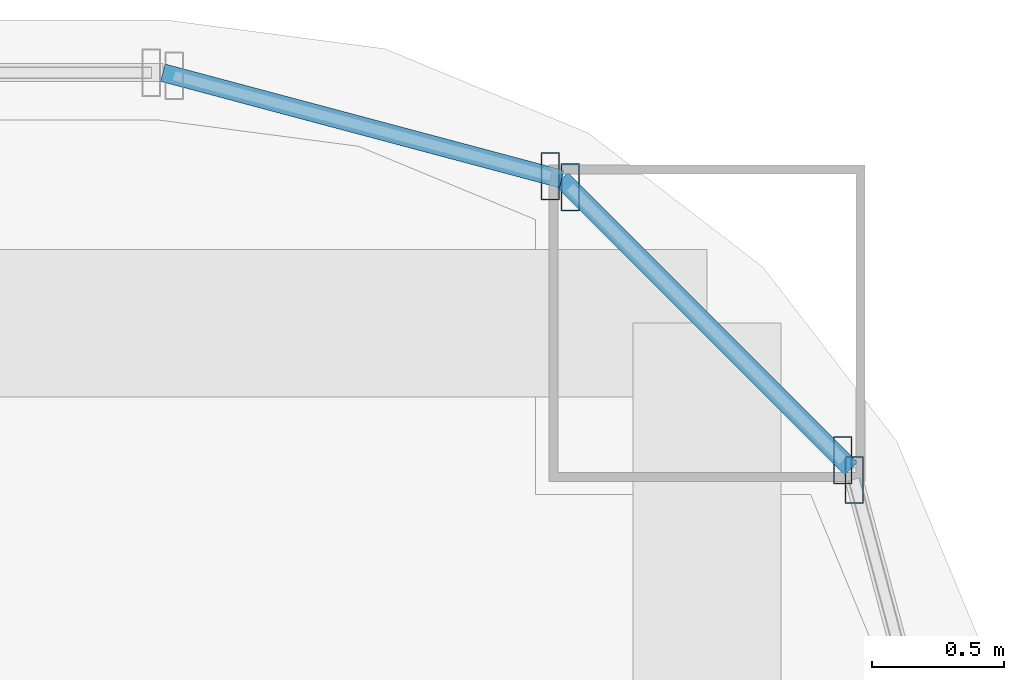
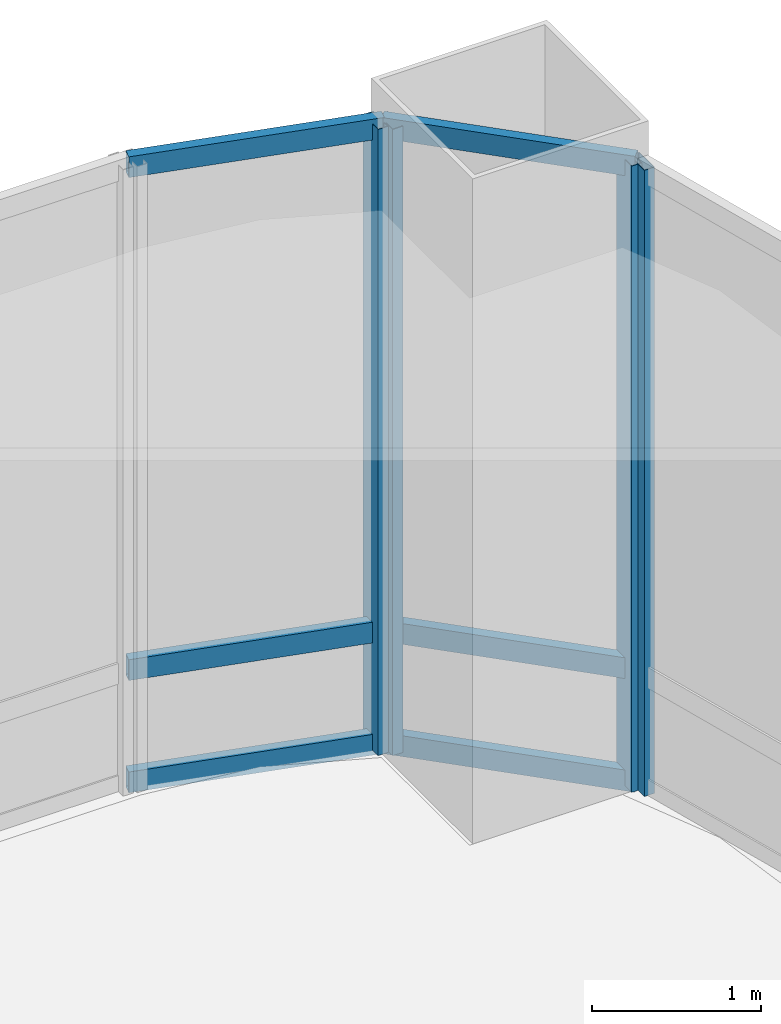
# One storey, part 33 of 45: 10 members, 3 elements without a shape of their own.
"""IFC4 building model written with IfcOpenShell, lengths in metres."""

from ifc_helpers import new_model, si_unit, direction, frame, origin, origin_2d, place, context, subcontext, project, spatial, hollow_rectangle, extrude, material, material_profile, profile_set, type_object, element, aggregate, save


model = new_model("IFC4")

# Units and contexts
model_context = context("Model", 3, precision=1e-05, world=origin(), true_north=direction((0.0, 1.0)))
body_context = subcontext(model_context, "Body", "Model", "MODEL_VIEW")
ifc_project = project(units=[si_unit("LENGTHUNIT", "METRE"), si_unit("AREAUNIT", "SQUARE_METRE"), si_unit("VOLUMEUNIT", "CUBIC_METRE"), si_unit("PLANEANGLEUNIT", "RADIAN"), si_unit("MASSUNIT", "GRAM", prefix="KILO")], contexts=[model_context])

# Site, building, storey
site_placement = place(None, origin())
site = spatial("IfcSite", under=ifc_project, at=site_placement, CompositionType="ELEMENT")
building_placement = place(site_placement, origin())
building = spatial("IfcBuilding", under=site, at=building_placement, Name="Punatoya Terracotta Tower", CompositionType="ELEMENT")
storey_placement = place(building_placement, frame((0.0, 0.0, 339.0)))
storey = spatial("IfcBuildingStorey", under=building, at=storey_placement, Name="L80", CompositionType="ELEMENT", Elevation=339.0)

# Curtain wall, member
ifc_material_1 = material(Name="Aluminium 6063-T6 + Double Low-E Glass", Category="aluminium")
curtain_wall_type = type_object("IfcCurtainWallType", Name="CW-OBS", PredefinedType="NOTDEFINED", material=ifc_material_1)
curtain_wall_1_placement = place(storey_placement, origin())
curtain_wall_1 = element("IfcCurtainWall", 1, at=curtain_wall_1_placement, inside=storey, type_object=curtain_wall_type, Name="L80 Curtain Wall CW-L80-CRN06", PredefinedType="NOTDEFINED")
ifc_material_2 = material(Name="Aluminium 6063-T6", Category="aluminium")
ifc_material_profile_1 = material_profile(ifc_material_2, hollow_rectangle(XDim=0.070068359375, YDim=0.179931640625, WallThickness=0.00390625, at=origin_2d()))
ifc_profile_set_1 = profile_set([ifc_material_profile_1], Name="Aluminium 6063-T6")
member_type_1 = type_object("IfcMemberType", Name="CW-MUL-M3", PredefinedType="MULLION", material=ifc_profile_set_1)
member_1_placement = place(storey_placement, frame((19.658203125, 16.905517578125, 0.0), z_axis=(0.0, 0.0, 1.0), x_axis=(1.0, 0.0, 0.0)))
member_1 = element("IfcMember", 2, at=member_1_placement, type_object=member_type_1, Name="CW-L80-CRN06 Mullion 01", PredefinedType="MULLION", context=body_context, shape_type="SweptSolid", body=[
    extrude(hollow_rectangle(XDim=0.070068359375, YDim=0.179931640625, WallThickness=0.00390625, at=origin_2d()), origin(), (0.0, 0.0, 1.0), 4.52001953125),
])
aggregate(curtain_wall_1, [member_1])

# Curtain wall, members
curtain_wall_2_placement = place(storey_placement, origin())
curtain_wall_2 = element("IfcCurtainWall", 3, at=curtain_wall_2_placement, inside=storey, type_object=curtain_wall_type, Name="L80 Curtain Wall CW-L80-CRN07", PredefinedType="NOTDEFINED")
member_2_placement = place(storey_placement, frame((19.61474609375, 16.98095703125, 0.0), z_axis=(0.0, 0.0, 1.0), x_axis=(1.0, 0.0, 0.0)))
member_2 = element("IfcMember", 4, at=member_2_placement, type_object=member_type_1, Name="CW-L80-CRN07 Mullion 00", PredefinedType="MULLION", context=body_context, shape_type="SweptSolid", body=[
    extrude(hollow_rectangle(XDim=0.070068359375, YDim=0.179931640625, WallThickness=0.00390625, at=origin_2d()), origin(), (0.0, 0.0, 1.0), 4.52001953125),
])
member_3_placement = place(storey_placement, frame((18.580810546875, 18.014892578125, 0.0), z_axis=(0.0, 0.0, 1.0), x_axis=(1.0, 0.0, 0.0)))
member_3 = element("IfcMember", 5, at=member_3_placement, type_object=member_type_1, Name="CW-L80-CRN07 Mullion 01", PredefinedType="MULLION", context=body_context, shape_type="SweptSolid", body=[
    extrude(hollow_rectangle(XDim=0.070068359375, YDim=0.179931640625, WallThickness=0.00390625, at=origin_2d()), origin(), (0.0, 0.0, 1.0), 4.52001953125),
])

# Curtain wall, member
curtain_wall_3_placement = place(storey_placement, origin())
curtain_wall_3 = element("IfcCurtainWall", 6, at=curtain_wall_3_placement, inside=storey, type_object=curtain_wall_type, Name="L80 Curtain Wall CW-L80-CRN08", PredefinedType="NOTDEFINED")
member_4_placement = place(storey_placement, frame((18.505615234375, 18.05810546875, 0.0), z_axis=(0.0, 0.0, 1.0), x_axis=(1.0, 0.0, 0.0)))
member_4 = element("IfcMember", 7, at=member_4_placement, type_object=member_type_1, Name="CW-L80-CRN08 Mullion 00", PredefinedType="MULLION", context=body_context, shape_type="SweptSolid", body=[
    extrude(hollow_rectangle(XDim=0.070068359375, YDim=0.179931640625, WallThickness=0.00390625, at=origin_2d()), origin(), (0.0, 0.0, 1.0), 4.52001953125),
])

# Member
ifc_material_profile_2 = material_profile(ifc_material_2, hollow_rectangle(XDim=0.068115234375, YDim=0.14990234375, WallThickness=0.00390625, at=origin_2d()))
ifc_profile_set_2 = profile_set([ifc_material_profile_2], Name="Aluminium 6063-T6")
member_type_2 = type_object("IfcMemberType", Name="CW-TRN-TYP", PredefinedType="USERDEFINED", material=ifc_profile_set_2)
member_5_placement = place(storey_placement, frame((19.646484375, 16.94921875, 0.0400390625), z_axis=(-0.707106781187, 0.707106781187, 0.0), x_axis=(-0.707106781187, -0.707106781187, 0.0)))
member_5 = element("IfcMember", 8, at=member_5_placement, type_object=member_type_2, Name="CW-L80-CRN07 Transom 1", ObjectType="TRANSOM", PredefinedType="USERDEFINED", context=body_context, shape_type="SweptSolid", body=[
    extrude(hollow_rectangle(XDim=0.068115234375, YDim=0.14990234375, WallThickness=0.00390625, at=origin_2d()), origin(), (0.0, 0.0, 1.0), 1.552001953125),
])

member_6_placement = place(storey_placement, frame((19.646484375, 16.94921875, 0.85009765625), z_axis=(-0.707106781187, 0.707106781187, 0.0), x_axis=(-0.707106781187, -0.707106781187, 0.0)))
member_6 = element("IfcMember", 9, at=member_6_placement, type_object=member_type_2, Name="CW-L80-CRN07 Transom 2", ObjectType="TRANSOM", PredefinedType="USERDEFINED", context=body_context, shape_type="SweptSolid", body=[
    extrude(hollow_rectangle(XDim=0.068115234375, YDim=0.14990234375, WallThickness=0.00390625, at=origin_2d()), origin(), (0.0, 0.0, 1.0), 1.552001953125),
])

member_7_placement = place(storey_placement, frame((19.646484375, 16.94921875, 4.47998046875), z_axis=(-0.707106781187, 0.707106781187, 0.0), x_axis=(-0.707106781187, -0.707106781187, 0.0)))
member_7 = element("IfcMember", 10, at=member_7_placement, type_object=member_type_2, Name="CW-L80-CRN07 Transom 3", ObjectType="TRANSOM", PredefinedType="USERDEFINED", context=body_context, shape_type="SweptSolid", body=[
    extrude(hollow_rectangle(XDim=0.068115234375, YDim=0.14990234375, WallThickness=0.00390625, at=origin_2d()), origin(), (0.0, 0.0, 1.0), 1.552001953125),
])

aggregate(curtain_wall_2, [member_2, member_3, member_5, member_6, member_7])

member_8_placement = place(storey_placement, frame((18.549072265625, 18.046630859375, 0.0400390625), z_axis=(-0.966224582397, 0.257701486942, 0.0), x_axis=(-0.257701486942, -0.966224582397, 0.0)))
member_8 = element("IfcMember", 11, at=member_8_placement, type_object=member_type_2, Name="CW-L80-CRN08 Transom 1", ObjectType="TRANSOM", PredefinedType="USERDEFINED", context=body_context, shape_type="SweptSolid", body=[
    extrude(hollow_rectangle(XDim=0.068115234375, YDim=0.14990234375, WallThickness=0.00390625, at=origin_2d()), origin(), (0.0, 0.0, 1.0), 1.565185546875),
])

member_9_placement = place(storey_placement, frame((18.549072265625, 18.046630859375, 0.85009765625), z_axis=(-0.966224582397, 0.257701486942, 0.0), x_axis=(-0.257701486942, -0.966224582397, 0.0)))
member_9 = element("IfcMember", 12, at=member_9_placement, type_object=member_type_2, Name="CW-L80-CRN08 Transom 2", ObjectType="TRANSOM", PredefinedType="USERDEFINED", context=body_context, shape_type="SweptSolid", body=[
    extrude(hollow_rectangle(XDim=0.068115234375, YDim=0.14990234375, WallThickness=0.00390625, at=origin_2d()), origin(), (0.0, 0.0, 1.0), 1.565185546875),
])

member_10_placement = place(storey_placement, frame((18.549072265625, 18.046630859375, 4.47998046875), z_axis=(-0.966224582397, 0.257701486942, 0.0), x_axis=(-0.257701486942, -0.966224582397, 0.0)))
member_10 = element("IfcMember", 13, at=member_10_placement, type_object=member_type_2, Name="CW-L80-CRN08 Transom 3", ObjectType="TRANSOM", PredefinedType="USERDEFINED", context=body_context, shape_type="SweptSolid", body=[
    extrude(hollow_rectangle(XDim=0.068115234375, YDim=0.14990234375, WallThickness=0.00390625, at=origin_2d()), origin(), (0.0, 0.0, 1.0), 1.565185546875),
])

aggregate(curtain_wall_3, [member_4, member_8, member_9, member_10])

save(model, "model.ifc")
